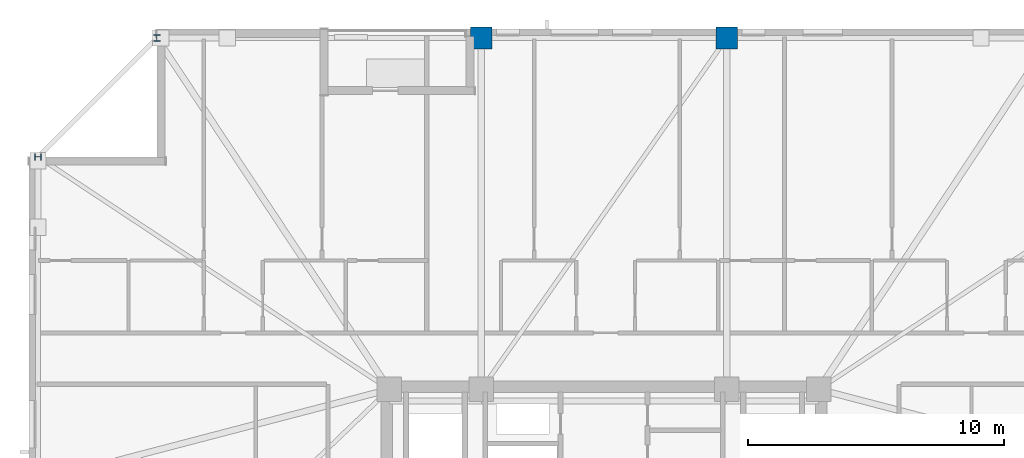
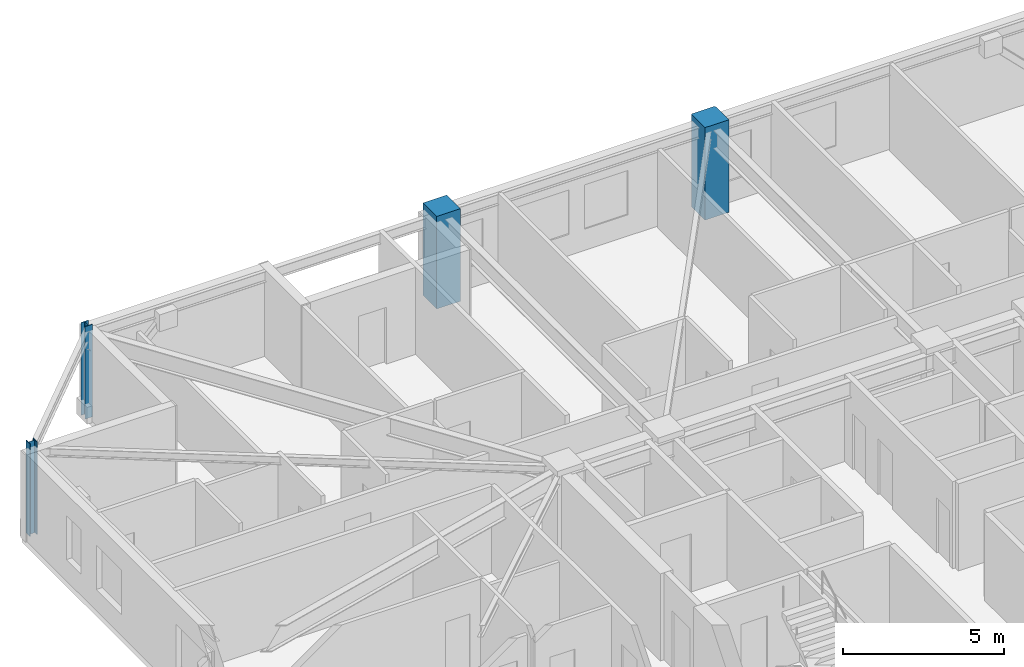
# One storey, part 4 of 17: 4 columns.
"""IFC4 building model written with IfcOpenShell, lengths in metres."""

from ifc_helpers import new_model, si_unit, direction, frame, origin, origin_2d, place, context, subcontext, project, spatial, rectangle, i_section, extrude, material, material_profile, profile_set, type_object, element, save


model = new_model("IFC4")

# Units and contexts
model_context = context("Model", 3, precision=1e-05, world=origin(), true_north=direction((0.0, 1.0)))
body_context = subcontext(model_context, "Body", "Model", "MODEL_VIEW")
ifc_project = project(units=[si_unit("LENGTHUNIT", "METRE"), si_unit("AREAUNIT", "SQUARE_METRE"), si_unit("VOLUMEUNIT", "CUBIC_METRE"), si_unit("PLANEANGLEUNIT", "RADIAN"), si_unit("MASSUNIT", "GRAM", prefix="KILO")], contexts=[model_context])

# Site, building, storey
site_placement = place(None, origin())
site = spatial("IfcSite", under=ifc_project, at=site_placement, CompositionType="ELEMENT")
building_placement = place(site_placement, origin())
building = spatial("IfcBuilding", under=site, at=building_placement, Name="Cairnveth Concourse Tower", CompositionType="ELEMENT")
storey_placement = place(building_placement, frame((0.0, 0.0, 223.5)))
storey = spatial("IfcBuildingStorey", under=building, at=storey_placement, Name="L61", CompositionType="ELEMENT", Elevation=223.5)

# Columns
ifc_material_1 = material(Name="Concrete N65 (65 MPa)", Category="concrete")
ifc_material_profile_1 = material_profile(ifc_material_1, rectangle(XDim=0.85009765625, YDim=0.85009765625, at=origin_2d()), Name="RC-COL-850x850")
ifc_profile_set_1 = profile_set([ifc_material_profile_1], Name="Concrete N65 (65 MPa)")
column_type_1 = type_object("IfcColumnType", Name="PERIMETER PIER COLUMN 850X850", PredefinedType="COLUMN", material=ifc_profile_set_1)
for number, where, z_axis, x_axis, name in (
    (1, (56.800048828125, 61.14990234375, 0.0), (0.0, 0.0, 1.0), (1.0, 0.0, 0.0), "Column P-N2 L61"),
    (2, (47.199951171875, 61.14990234375, 0.0), (0.0, 0.0, 1.0), (1.0, 0.0, 0.0), "Column P-N3 L61"),
):
    element("IfcColumn", number, at=place(storey_placement, frame(where, z_axis=z_axis, x_axis=x_axis)), inside=storey, type_object=column_type_1, Name=name, PredefinedType="COLUMN", context=body_context, shape_type="SweptSolid", body=[
        extrude(rectangle(XDim=0.85009765625, YDim=0.85009765625, at=origin_2d()), origin(), (0.0, 0.0, 1.0), 3.5),
    ])
ifc_material_2 = material(Name="Steel Grade 350", Category="steel")
ifc_material_profile_2 = material_profile(ifc_material_2, i_section(OverallWidth=0.256103515625, OverallDepth=0.260009765625, WebThickness=0.010498046875, FlangeThickness=0.017333984375, FilletRadius=0.012939453125, at=origin_2d()), Name="250UC89.5")
ifc_profile_set_2 = profile_set([ifc_material_profile_2], Name="Steel Grade 350")
column_type_2 = type_object("IfcColumnType", Name="UNIVERSAL STEEL COLUMN 250UC89.5", PredefinedType="COLUMN", material=ifc_profile_set_2)
for number, where, z_axis, x_axis, name in (
    (3, (34.5, 61.14990234375, 0.0), (0.0, 0.0, 1.0), (1.0, 0.0, 0.0), "Column P-N4 L61"),
    (4, (29.85009765625, 56.5, 0.0), (0.0, 0.0, 1.0), (0.0, 1.0, 0.0), "Column P-W1 L61"),
):
    element("IfcColumn", number, at=place(storey_placement, frame(where, z_axis=z_axis, x_axis=x_axis)), inside=storey, type_object=column_type_2, Name=name, PredefinedType="COLUMN", context=body_context, shape_type="SweptSolid", body=[
        extrude(i_section(OverallWidth=0.256103515625, OverallDepth=0.260009765625, WebThickness=0.010498046875, FlangeThickness=0.017333984375, FilletRadius=0.012939453125, at=origin_2d()), origin(), (0.0, 0.0, 1.0), 3.5),
    ])

save(model, "model.ifc")
